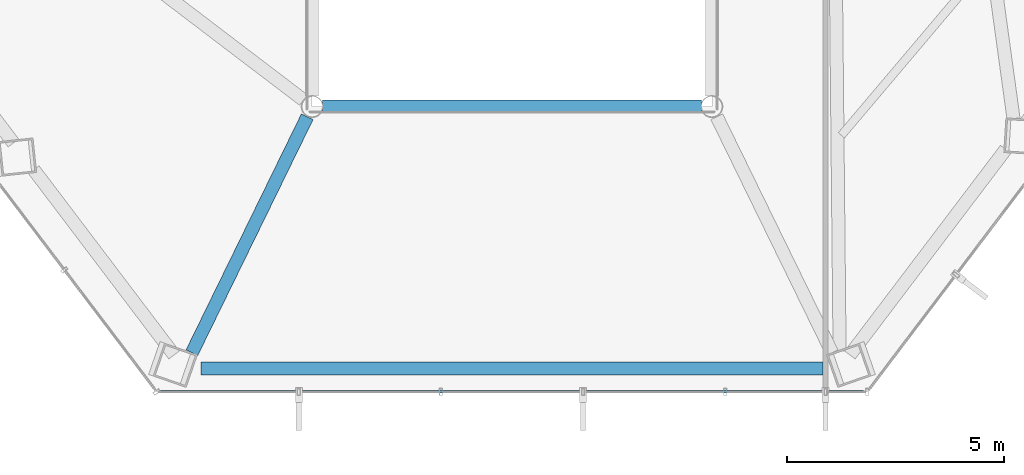
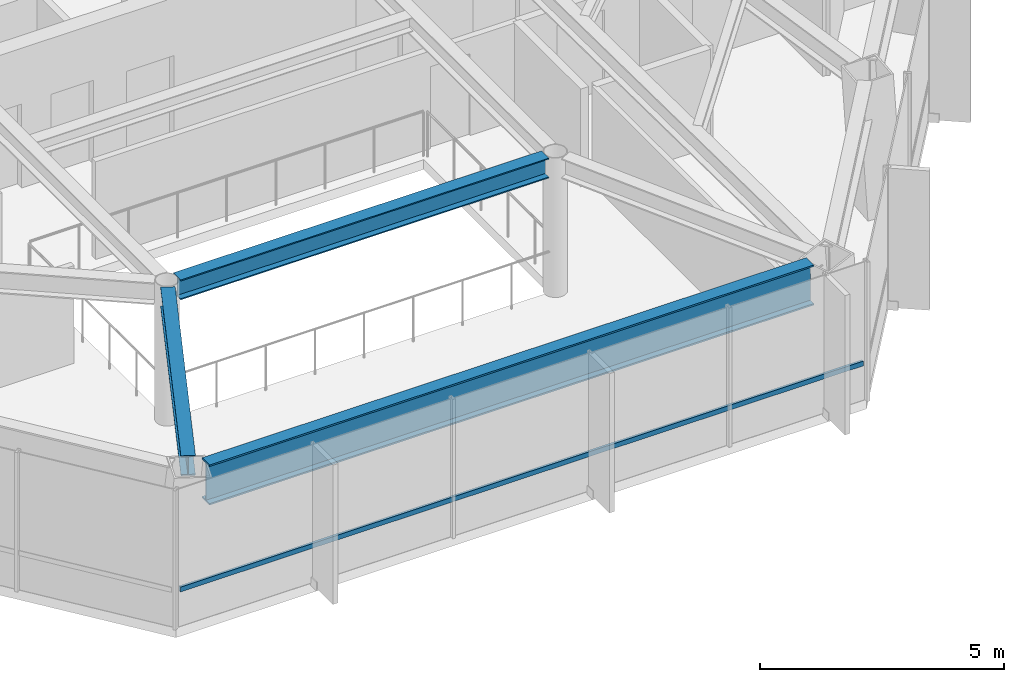
# One storey, part 7 of 28: 3 beams, 1 member, 1 element without a shape of its own.
"""IFC4 building model written with IfcOpenShell, lengths in metres."""

from ifc_helpers import new_model, si_unit, direction, frame, origin, origin_2d, place, context, subcontext, project, spatial, hollow_rectangle, i_section, extrude, material, layer, layer_set, material_profile, profile_set, type_object, element, aggregate, save


model = new_model("IFC4")

# Units and contexts
model_context = context("Model", 3, precision=1e-05, world=origin(), true_north=direction((0.0, 1.0)))
body_context = subcontext(model_context, "Body", "Model", "MODEL_VIEW")
ifc_project = project(units=[si_unit("LENGTHUNIT", "METRE"), si_unit("AREAUNIT", "SQUARE_METRE"), si_unit("VOLUMEUNIT", "CUBIC_METRE"), si_unit("PLANEANGLEUNIT", "RADIAN"), si_unit("MASSUNIT", "GRAM", prefix="KILO")], contexts=[model_context])

# Site, building, storey
site_placement = place(None, origin())
site = spatial("IfcSite", under=ifc_project, at=site_placement, CompositionType="ELEMENT")
building_placement = place(site_placement, origin())
building = spatial("IfcBuilding", under=site, at=building_placement, Name="Zarrinselat Tower", CompositionType="ELEMENT")
storey_placement = place(building_placement, frame((0.0, 0.0, 153.340087890625)))
storey = spatial("IfcBuildingStorey", under=building, at=storey_placement, Name="L37", CompositionType="ELEMENT", Elevation=153.340087890625)

# Beams
ifc_material_1 = material(Name="Steel S355J2", Category="steel")
ifc_material_profile_1 = material_profile(ifc_material_1, i_section(OverallWidth=0.300048828125, OverallDepth=0.5, WebThickness=0.014404296875, FlangeThickness=0.028076171875, at=origin_2d()), Name="HEB 500")
ifc_profile_set_1 = profile_set([ifc_material_profile_1], Name="Steel S355J2")
beam_type_1 = type_object("IfcBeamType", Name="BM-HEB500", PredefinedType="BEAM", material=ifc_profile_set_1)
beam_1_placement = place(storey_placement, frame((34.0400390625, 24.39990234375, 3.239990234375), z_axis=(1.0, 0.0, 0.0), x_axis=(0.0, 1.0, 0.0)))
element("IfcBeam", 1, at=beam_1_placement, inside=storey, type_object=beam_type_1, Name="L37 Atrium Edge Beam S", PredefinedType="BEAM", context=body_context, shape_type="SweptSolid", body=[
    extrude(i_section(OverallWidth=0.300048828125, OverallDepth=0.5, WebThickness=0.014404296875, FlangeThickness=0.028076171875, at=origin_2d()), origin(), (0.0, 0.0, 1.0), 8.719970703125),
])
beam_2_placement = place(storey_placement, frame((31.03076171875, 18.734619140625, 3.239990234375), z_axis=(0.439135534001, 0.898420827217, 0.0), x_axis=(-0.898420827217, 0.439135534001, 0.0)))
element("IfcBeam", 2, at=beam_2_placement, inside=storey, type_object=beam_type_1, Name="L37 Sky Garden Terrace Girder 1", PredefinedType="BEAM", context=body_context, shape_type="SweptSolid", body=[
    extrude(i_section(OverallWidth=0.300048828125, OverallDepth=0.5, WebThickness=0.014404296875, FlangeThickness=0.028076171875, at=origin_2d()), origin(), (0.0, 0.0, 1.0), 6.046142578125),
])
ifc_material_2 = material(Name="Steel S460M", Category="steel")
ifc_material_profile_2 = material_profile(ifc_material_2, i_section(OverallWidth=0.302001953125, OverallDepth=1.008056640625, WebThickness=0.02099609375, FlangeThickness=0.0400390625, at=origin_2d()), Name="HEM 1000")
ifc_profile_set_2 = profile_set([ifc_material_profile_2], Name="Steel S460M")
beam_type_2 = type_object("IfcBeamType", Name="BM-HEM1000", PredefinedType="BEAM", material=ifc_profile_set_2)
beam_3_placement = place(storey_placement, frame((31.2421875, 18.373291015625, 2.98583984375), z_axis=(1.0, 0.0, 0.0), x_axis=(0.0, 1.0, 0.0)))
element("IfcBeam", 3, at=beam_3_placement, inside=storey, type_object=beam_type_2, Name="L37 Perimeter Spandrel Girder SP10", PredefinedType="BEAM", context=body_context, shape_type="SweptSolid", body=[
    extrude(i_section(OverallWidth=0.302001953125, OverallDepth=1.008056640625, WebThickness=0.02099609375, FlangeThickness=0.0400390625, at=origin_2d()), origin(), (0.0, 0.0, 1.0), 14.3154296875),
])

# Curtain wall, member
ifc_material_3 = material(Name="Extruded Aluminium Alloy EN AW-6063 T6", Category="aluminium")
ifc_layer = layer(ifc_material_3, 0.175048828125)
ifc_layer_set = layer_set([ifc_layer], Name="Extruded Aluminium Alloy EN AW-6063 T6")
curtain_wall_type = type_object("IfcCurtainWallType", Name="CWS-HTL", PredefinedType="NOTDEFINED", material=ifc_layer_set)
curtain_wall_placement = place(storey_placement, origin())
curtain_wall = element("IfcCurtainWall", 4, at=curtain_wall_placement, inside=storey, type_object=curtain_wall_type, Name="L37 Unitised Curtain Wall CW-L37-E04", PredefinedType="NOTDEFINED")
ifc_material_4 = material(Name="Extruded Aluminium Alloy EN AW-6063 T6", Category="aluminium")
ifc_material_profile_3 = material_profile(ifc_material_4, hollow_rectangle(XDim=0.06005859375, YDim=0.1201171875, WallThickness=0.00390625, at=origin_2d()), Name="RHS 120x60x4")
ifc_profile_set_3 = profile_set([ifc_material_profile_3], Name="Extruded Aluminium Alloy EN AW-6063 T6")
member_type = type_object("IfcMemberType", Name="MEM-CW-TRN2", PredefinedType="USERDEFINED", material=ifc_profile_set_3)
member_placement = place(storey_placement, frame((30.3095703125, 17.83154296875, 0.949951171875), z_axis=(1.0, 0.0, 0.0), x_axis=(0.0, 1.0, 0.0)))
member = element("IfcMember", 5, at=member_placement, type_object=member_type, Name="CW-L37-E04 Transom 1", ObjectType="TRANSOM", PredefinedType="USERDEFINED", context=body_context, shape_type="SweptSolid", body=[
    extrude(hollow_rectangle(XDim=0.06005859375, YDim=0.1201171875, WallThickness=0.00390625, at=origin_2d()), origin(), (0.0, 0.0, 1.0), 16.180908203125),
])
aggregate(curtain_wall, [member])

save(model, "model.ifc")
